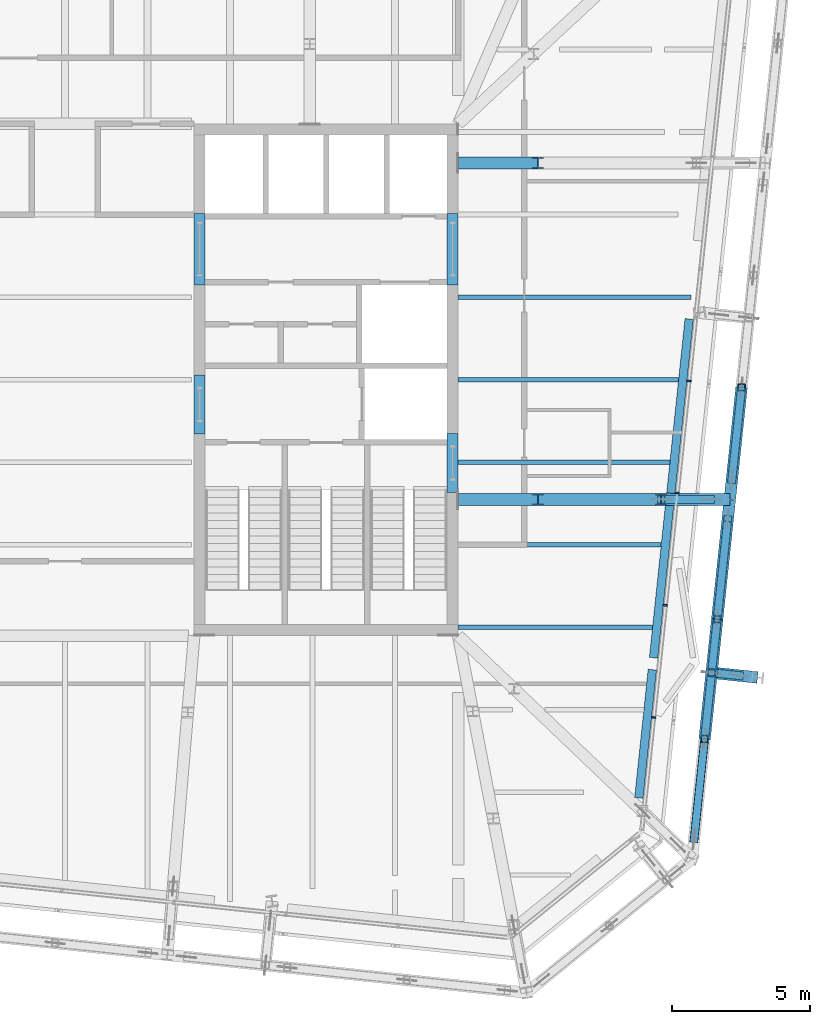
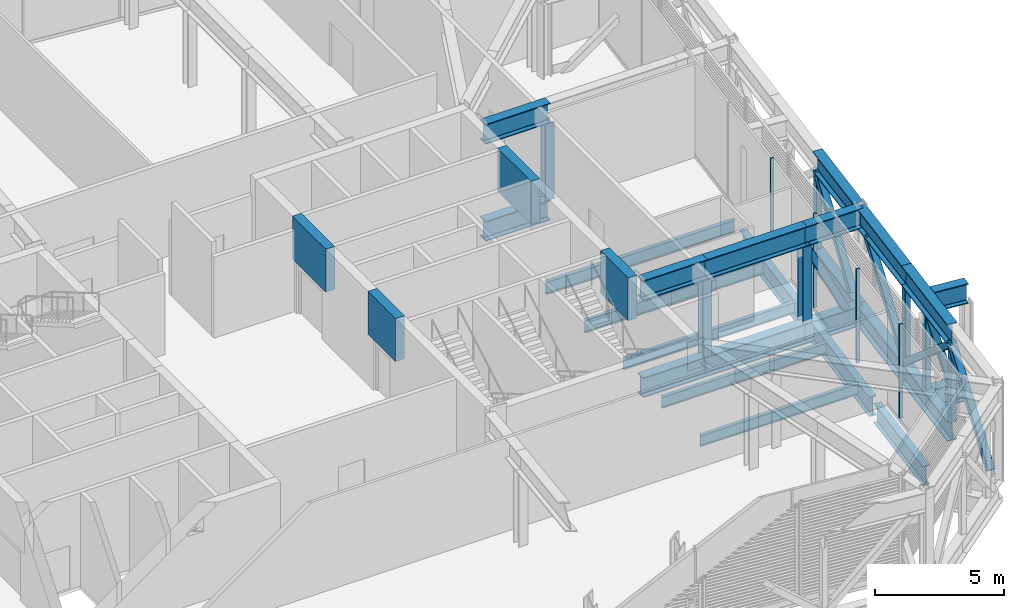
# One storey, part 10 of 36: 28 beams, 17 members, 1 element without a shape of its own.
"""IFC4 building model written with IfcOpenShell, lengths in metres."""

from ifc_helpers import new_model, si_unit, direction, frame, origin, origin_2d, place, context, subcontext, project, spatial, rectangle, hollow_rectangle, i_section, extrude, material, layer, layer_set, material_profile, profile_set, type_object, element, aggregate, save


model = new_model("IFC4")

# Units and contexts
model_context = context("Model", 3, precision=1e-05, world=origin(), true_north=direction((0.0, 1.0)))
body_context = subcontext(model_context, "Body", "Model", "MODEL_VIEW")
ifc_project = project(units=[si_unit("LENGTHUNIT", "METRE"), si_unit("AREAUNIT", "SQUARE_METRE"), si_unit("VOLUMEUNIT", "CUBIC_METRE"), si_unit("PLANEANGLEUNIT", "RADIAN"), si_unit("MASSUNIT", "GRAM", prefix="KILO")], contexts=[model_context])

# Site, building, storey
site_placement = place(None, origin())
site = spatial("IfcSite", under=ifc_project, at=site_placement, CompositionType="ELEMENT")
building_placement = place(site_placement, origin())
building = spatial("IfcBuilding", under=site, at=building_placement, Name="Millrace Tower", CompositionType="ELEMENT")
storey_placement = place(building_placement, frame((0.0, 0.0, 271.39990234375)))
storey = spatial("IfcBuildingStorey", under=building, at=storey_placement, Name="L62", CompositionType="ELEMENT", Elevation=271.39990234375)

# Curtain wall, members
ifc_material_1 = material(Name="Aluminium and glass", Category="aluminium")
ifc_layer = layer(ifc_material_1, 0.14990234375)
ifc_layer_set = layer_set([ifc_layer], Name="Aluminium and glass")
curtain_wall_type = type_object("IfcCurtainWallType", Name="CW-5 truss and plant storey louvred infill", PredefinedType="NOTDEFINED", material=ifc_layer_set)
curtain_wall_placement = place(storey_placement, origin())
curtain_wall = element("IfcCurtainWall", 1, at=curtain_wall_placement, inside=storey, type_object=curtain_wall_type, Name="Curtain wall E-F04 L62", PredefinedType="NOTDEFINED")
ifc_material_2 = material(Name="Aluminium", Category="aluminium")
ifc_material_profile_1 = material_profile(ifc_material_2, rectangle(XDim=0.06494140625, YDim=0.14990234375, at=origin_2d()))
ifc_profile_set_1 = profile_set([ifc_material_profile_1], Name="Aluminium")
member_type_1 = type_object("IfcMemberType", Name="CW-5 truss and plant storey louvred infill mullion", PredefinedType="MULLION", material=ifc_profile_set_1)
member_1_placement = place(storey_placement, frame((21.4033203125, -12.27490234375, 0.14013671875), z_axis=(0.0, 0.0, 1.0), x_axis=(0.104528455196, 0.994521896217, 0.0)))
member_1 = element("IfcMember", 2, at=member_1_placement, type_object=member_type_1, Name="CW5 mullion E-F04.2", PredefinedType="MULLION", context=body_context, shape_type="SweptSolid", body=[
    extrude(rectangle(XDim=0.06494140625, YDim=0.14990234375, at=origin_2d()), origin(), (0.0, 0.0, 1.0), 4.4599609375),
])
member_2_placement = place(storey_placement, frame((21.83203125, -8.197509765625, 0.14013671875), z_axis=(0.0, 0.0, 1.0), x_axis=(0.104528455196, 0.994521896217, 0.0)))
member_2 = element("IfcMember", 3, at=member_2_placement, type_object=member_type_1, Name="CW5 mullion E-F04.3", PredefinedType="MULLION", context=body_context, shape_type="SweptSolid", body=[
    extrude(rectangle(XDim=0.06494140625, YDim=0.14990234375, at=origin_2d()), origin(), (0.0, 0.0, 1.0), 4.4599609375),
])
member_3_placement = place(storey_placement, frame((22.260498046875, -4.119873046875, 0.14013671875), z_axis=(0.0, 0.0, 1.0), x_axis=(0.104528455196, 0.994521896217, 0.0)))
member_3 = element("IfcMember", 4, at=member_3_placement, type_object=member_type_1, Name="CW5 mullion E-F04.4", PredefinedType="MULLION", context=body_context, shape_type="SweptSolid", body=[
    extrude(rectangle(XDim=0.06494140625, YDim=0.14990234375, at=origin_2d()), origin(), (0.0, 0.0, 1.0), 4.4599609375),
])
member_4_placement = place(storey_placement, frame((22.68896484375, -0.042236328125, 0.14013671875), z_axis=(0.0, 0.0, 1.0), x_axis=(0.104528455196, 0.994521896217, 0.0)))
member_4 = element("IfcMember", 5, at=member_4_placement, type_object=member_type_1, Name="CW5 mullion E-F04.5", PredefinedType="MULLION", context=body_context, shape_type="SweptSolid", body=[
    extrude(rectangle(XDim=0.06494140625, YDim=0.14990234375, at=origin_2d()), origin(), (0.0, 0.0, 1.0), 4.4599609375),
])
aggregate(curtain_wall, [member_1, member_2, member_3, member_4])

# Beams
ifc_material_3 = material(Name="Concrete C60", Category="concrete")
ifc_material_profile_2 = material_profile(ifc_material_3, rectangle(XDim=0.39990234375, YDim=2.0400390625, at=origin_2d()))
ifc_profile_set_2 = profile_set([ifc_material_profile_2], Name="Concrete C60")
beam_type_1 = type_object("IfcBeamType", Name="Coupling beam 400 x 2040 Concrete C60, 1300 opening", PredefinedType="BEAM", material=ifc_profile_set_2)
beam_1_placement = place(storey_placement, frame((14.10009765625, -1.958984375, 3.420166015625), z_axis=(0.0, -1.0, 0.0), x_axis=(1.0, 0.0, 0.0)))
element("IfcBeam", 6, at=beam_1_placement, inside=storey, type_object=beam_type_1, Name="Coupling beam E L62", PredefinedType="BEAM", context=body_context, shape_type="SweptSolid", body=[
    extrude(rectangle(XDim=0.39990234375, YDim=2.0400390625, at=origin_2d()), origin(), (0.0, 0.0, 1.0), 2.14208984375),
])
beam_2_placement = place(storey_placement, frame((4.89990234375, 0.1708984375, 3.420166015625), z_axis=(0.0, -1.0, 0.0), x_axis=(1.0, 0.0, 0.0)))
element("IfcBeam", 7, at=beam_2_placement, inside=storey, type_object=beam_type_1, Name="Coupling beam E L62", PredefinedType="BEAM", context=body_context, shape_type="SweptSolid", body=[
    extrude(rectangle(XDim=0.39990234375, YDim=2.0400390625, at=origin_2d()), origin(), (0.0, 0.0, 1.0), 2.141845703125),
])
ifc_material_4 = material(Name="Concrete C60", Category="concrete")
ifc_material_profile_3 = material_profile(ifc_material_4, rectangle(XDim=0.39990234375, YDim=2.0400390625, at=origin_2d()))
ifc_profile_set_3 = profile_set([ifc_material_profile_3], Name="Concrete C60")
beam_type_2 = type_object("IfcBeamType", Name="Coupling beam 400 x 2040 Concrete C60, 2000 opening", PredefinedType="BEAM", material=ifc_profile_set_3)
for number, where, z_axis, x_axis, name in (
    (8, (14.10009765625, 6.050048828125, 3.420166015625), (0.0, -1.0, 0.0), (1.0, 0.0, 0.0), "Coupling beam E L62"),
    (9, (4.89990234375, 6.050048828125, 3.420166015625), (0.0, -1.0, 0.0), (1.0, 0.0, 0.0), "Coupling beam E L62"),
):
    element("IfcBeam", number, at=place(storey_placement, frame(where, z_axis=z_axis, x_axis=x_axis)), inside=storey, type_object=beam_type_2, Name=name, PredefinedType="BEAM", context=body_context, shape_type="SweptSolid", body=[
        extrude(rectangle(XDim=0.39990234375, YDim=2.0400390625, at=origin_2d()), origin(), (0.0, 0.0, 1.0), 2.60009765625),
    ])
ifc_material_5 = material(Name="Steel ASTM A992 Grade 50", Category="steel")
ifc_material_profile_4 = material_profile(ifc_material_5, i_section(OverallWidth=0.1650390625, OverallDepth=0.52587890625, WebThickness=0.0087890625, FlangeThickness=0.011474609375, FilletRadius=0.0126953125, at=origin_2d()))
ifc_profile_set_4 = profile_set([ifc_material_profile_4], Name="Steel ASTM A992 Grade 50")
beam_type_3 = type_object("IfcBeamType", Name="Floor beam W21x44", PredefinedType="JOIST", material=ifc_profile_set_4)
beam_3_placement = place(storey_placement, frame((14.300048828125, -9.0, -0.4228515625), z_axis=(1.0, 0.0, 0.0), x_axis=(0.0, 1.0, 0.0)))
element("IfcBeam", 10, at=beam_3_placement, inside=storey, type_object=beam_type_3, Name="BM-E-L62-S1-S007", PredefinedType="JOIST", context=body_context, shape_type="SweptSolid", body=[
    extrude(i_section(OverallWidth=0.1650390625, OverallDepth=0.52587890625, WebThickness=0.0087890625, FlangeThickness=0.011474609375, FilletRadius=0.0126953125, at=origin_2d()), origin(), (0.0, 0.0, 1.0), 7.06298828125),
])
beam_4_placement = place(storey_placement, frame((14.300048828125, -6.0, -0.4228515625), z_axis=(1.0, 0.0, 0.0), x_axis=(0.0, 1.0, 0.0)))
element("IfcBeam", 11, at=beam_4_placement, inside=storey, type_object=beam_type_3, Name="BM-E-L62-S1-S010", PredefinedType="JOIST", context=body_context, shape_type="SweptSolid", body=[
    extrude(i_section(OverallWidth=0.1650390625, OverallDepth=0.52587890625, WebThickness=0.0087890625, FlangeThickness=0.011474609375, FilletRadius=0.0126953125, at=origin_2d()), origin(), (0.0, 0.0, 1.0), 7.37841796875),
])
beam_5_placement = place(storey_placement, frame((14.300048828125, -3.0, -0.4228515625), z_axis=(1.0, 0.0, 0.0), x_axis=(0.0, 1.0, 0.0)))
element("IfcBeam", 12, at=beam_5_placement, inside=storey, type_object=beam_type_3, Name="BM-E-L62-S1-S013", PredefinedType="JOIST", context=body_context, shape_type="SweptSolid", body=[
    extrude(i_section(OverallWidth=0.1650390625, OverallDepth=0.52587890625, WebThickness=0.0087890625, FlangeThickness=0.011474609375, FilletRadius=0.0126953125, at=origin_2d()), origin(), (0.0, 0.0, 1.0), 7.693603515625),
])
ifc_material_6 = material(Name="Steel ASTM A992 Grade 50", Category="steel")
ifc_material_profile_5 = material_profile(ifc_material_6, i_section(OverallWidth=0.177978515625, OverallDepth=0.599365234375, WebThickness=0.010009765625, FlangeThickness=0.012939453125, FilletRadius=0.012939453125, at=origin_2d()))
ifc_profile_set_5 = profile_set([ifc_material_profile_5], Name="Steel ASTM A992 Grade 50")
beam_type_4 = type_object("IfcBeamType", Name="Floor beam W24x55", PredefinedType="JOIST", material=ifc_profile_set_5)
beam_6_placement = place(storey_placement, frame((14.300048828125, 0.0, -0.459716796875), z_axis=(1.0, 0.0, 0.0), x_axis=(0.0, 1.0, 0.0)))
element("IfcBeam", 13, at=beam_6_placement, inside=storey, type_object=beam_type_4, Name="BM-E-L62-S1-S016", PredefinedType="JOIST", context=body_context, shape_type="SweptSolid", body=[
    extrude(i_section(OverallWidth=0.177978515625, OverallDepth=0.599365234375, WebThickness=0.010009765625, FlangeThickness=0.012939453125, FilletRadius=0.012939453125, at=origin_2d()), origin(), (0.0, 0.0, 1.0), 8.009033203125),
])
beam_7_placement = place(storey_placement, frame((14.300048828125, 3.0, -0.459716796875), z_axis=(1.0, 0.0, 0.0), x_axis=(0.0, 1.0, 0.0)))
element("IfcBeam", 14, at=beam_7_placement, inside=storey, type_object=beam_type_4, Name="BM-E-L62-S1-S019", PredefinedType="JOIST", context=body_context, shape_type="SweptSolid", body=[
    extrude(i_section(OverallWidth=0.177978515625, OverallDepth=0.599365234375, WebThickness=0.010009765625, FlangeThickness=0.012939453125, FilletRadius=0.012939453125, at=origin_2d()), origin(), (0.0, 0.0, 1.0), 8.456298828125),
])
ifc_material_7 = material(Name="Steel ASTM A992 Grade 50", Category="steel")
ifc_material_profile_6 = material_profile(ifc_material_7, i_section(OverallWidth=0.307373046875, OverallDepth=0.927001953125, WebThickness=0.01953125, FlangeThickness=0.031982421875, FilletRadius=0.01904296875, at=origin_2d()))
ifc_profile_set_6 = profile_set([ifc_material_profile_6], Name="Steel ASTM A992 Grade 50")
beam_type_5 = type_object("IfcBeamType", Name="Ring beam short span W36x194", PredefinedType="SPANDREL", material=ifc_profile_set_6)
beam_8_placement = place(storey_placement, frame((22.695556640625, 2.2080078125, -0.62353515625), z_axis=(-0.104499270782, -0.994524963189, 0.0), x_axis=(0.994524963189, -0.104499270782, 0.0)))
element("IfcBeam", 15, at=beam_8_placement, inside=storey, type_object=beam_type_5, Name="RNG-E-L62-S1-10-b", PredefinedType="SPANDREL", context=body_context, shape_type="SweptSolid", body=[
    extrude(i_section(OverallWidth=0.307373046875, OverallDepth=0.927001953125, WebThickness=0.01953125, FlangeThickness=0.031982421875, FilletRadius=0.01904296875, at=origin_2d()), origin(), (0.0, 0.0, 1.0), 6.37109375),
])
beam_9_placement = place(storey_placement, frame((21.983642578125, -4.5654296875, -0.62353515625), z_axis=(-0.104522810445, -0.994522489488, 0.0), x_axis=(0.994522489488, -0.104522810445, 0.0)))
element("IfcBeam", 16, at=beam_9_placement, inside=storey, type_object=beam_type_5, Name="RNG-E-L62-S1-11-a", PredefinedType="SPANDREL", context=body_context, shape_type="SweptSolid", body=[
    extrude(i_section(OverallWidth=0.307373046875, OverallDepth=0.927001953125, WebThickness=0.01953125, FlangeThickness=0.031982421875, FilletRadius=0.01904296875, at=origin_2d()), origin(), (0.0, 0.0, 1.0), 5.57080078125),
])
beam_10_placement = place(storey_placement, frame((21.35595703125, -10.5390625, -0.62353515625), z_axis=(-0.104560096793, -0.994518570042, 0.0), x_axis=(0.994518570042, -0.104560096793, 0.0)))
element("IfcBeam", 17, at=beam_10_placement, inside=storey, type_object=beam_type_5, Name="RNG-E-L62-S1-11-b", PredefinedType="SPANDREL", context=body_context, shape_type="SweptSolid", body=[
    extrude(i_section(OverallWidth=0.307373046875, OverallDepth=0.927001953125, WebThickness=0.01953125, FlangeThickness=0.031982421875, FilletRadius=0.01904296875, at=origin_2d()), origin(), (0.0, 0.0, 1.0), 4.6884765625),
])

# Members
ifc_material_8 = material(Name="Steel ASTM A992 Grade 50", Category="steel")
ifc_material_profile_7 = material_profile(ifc_material_8, i_section(OverallWidth=0.4013671875, OverallDepth=0.398681640625, WebThickness=0.02490234375, FlangeThickness=0.03955078125, FilletRadius=0.01513671875, at=origin_2d()))
ifc_profile_set_7 = profile_set([ifc_material_profile_7], Name="Steel ASTM A992 Grade 50")
member_type_2 = type_object("IfcMemberType", Name="Transfer truss Vierendeel moment post W14x211", PredefinedType="POST", material=ifc_profile_set_7)
for number, where, z_axis, x_axis, name in (
    (18, (21.671630859375, -4.353271484375, -0.159912109375), (0.0, 0.0, 1.0), (1.0, 0.0, 0.0), "TRS-L62-C07-V01"),
    (19, (17.199951171875, -4.353271484375, -0.159912109375), (0.0, 0.0, 1.0), (1.0, 0.0, 0.0), "TRS-L62-C07-V02"),
    (20, (17.199951171875, 7.879150390625, -0.159912109375), (0.0, 0.0, 1.0), (1.0, 0.0, 0.0), "TRS-L62-C08-V02"),
):
    element("IfcMember", number, at=place(storey_placement, frame(where, z_axis=z_axis, x_axis=x_axis)), inside=storey, type_object=member_type_2, Name=name, PredefinedType="POST", context=body_context, shape_type="SweptSolid", body=[
        extrude(i_section(OverallWidth=0.4013671875, OverallDepth=0.398681640625, WebThickness=0.02490234375, FlangeThickness=0.03955078125, FilletRadius=0.01513671875, at=origin_2d()), origin(), (0.0, 0.0, 1.0), 3.652587890625),
    ])

# Beams
ifc_material_9 = material(Name="Steel ASTM A992 Grade 50", Category="steel")
ifc_material_profile_8 = material_profile(ifc_material_9, i_section(OverallWidth=0.424072265625, OverallDepth=0.947509765625, WebThickness=0.02392578125, FlangeThickness=0.042724609375, FilletRadius=0.024169921875, at=origin_2d()))
ifc_profile_set_8 = profile_set([ifc_material_profile_8], Name="Steel ASTM A992 Grade 50")
beam_type_6 = type_object("IfcBeamType", Name="Transfer truss chord W36x302", PredefinedType="BEAM", material=ifc_profile_set_8)
for number, where, z_axis, x_axis, name in (
    (21, (23.256591796875, -13.0576171875, -0.633544921875), (0.104551192336, 0.994519506184, 0.0), (-0.994519506184, 0.104551192336, 0.0), "TRS-L62-R06-B02"),
    (22, (23.256591796875, -13.0576171875, 3.96630859375), (0.104551192336, 0.994519506184, 0.0), (-0.994519506184, 0.104551192336, 0.0), "TRS-L62-R06-T02"),
):
    element("IfcBeam", number, at=place(storey_placement, frame(where, z_axis=z_axis, x_axis=x_axis)), inside=storey, type_object=beam_type_6, Name=name, PredefinedType="BEAM", context=body_context, shape_type="SweptSolid", body=[
        extrude(i_section(OverallWidth=0.424072265625, OverallDepth=0.947509765625, WebThickness=0.02392578125, FlangeThickness=0.042724609375, FilletRadius=0.024169921875, at=origin_2d()), origin(), (0.0, 0.0, 1.0), 4.3759765625),
    ])
for number, where, z_axis, x_axis, name in (
    (23, (23.714111328125, -8.70556640625, -0.633544921875), (0.104545391672, 0.994520115976, 0.0), (-0.994520115976, 0.104545391672, 0.0), "TRS-L62-R06-B03"),
    (24, (23.714111328125, -8.70556640625, 3.96630859375), (0.104545391672, 0.994520115976, 0.0), (-0.994520115976, 0.104545391672, 0.0), "TRS-L62-R06-T03"),
):
    element("IfcBeam", number, at=place(storey_placement, frame(where, z_axis=z_axis, x_axis=x_axis)), inside=storey, type_object=beam_type_6, Name=name, PredefinedType="BEAM", context=body_context, shape_type="SweptSolid", body=[
        extrude(i_section(OverallWidth=0.424072265625, OverallDepth=0.947509765625, WebThickness=0.02392578125, FlangeThickness=0.042724609375, FilletRadius=0.024169921875, at=origin_2d()), origin(), (0.0, 0.0, 1.0), 4.376220703125),
    ])
for number, where, z_axis, x_axis, name in (
    (25, (24.171630859375, -4.353271484375, -0.633544921875), (0.104508094319, 0.99452403602, 0.0), (-0.99452403602, 0.104508094319, 0.0), "TRS-L62-R07-B01"),
    (26, (24.171630859375, -4.353271484375, 3.96630859375), (0.104508094319, 0.99452403602, 0.0), (-0.99452403602, 0.104508094319, 0.0), "TRS-L62-R07-T01"),
):
    element("IfcBeam", number, at=place(storey_placement, frame(where, z_axis=z_axis, x_axis=x_axis)), inside=storey, type_object=beam_type_6, Name=name, PredefinedType="BEAM", context=body_context, shape_type="SweptSolid", body=[
        extrude(i_section(OverallWidth=0.424072265625, OverallDepth=0.947509765625, WebThickness=0.02392578125, FlangeThickness=0.042724609375, FilletRadius=0.024169921875, at=origin_2d()), origin(), (0.0, 0.0, 1.0), 4.099853515625),
    ])
for number, where, z_axis, x_axis, name in (
    (27, (24.171630859375, -4.353271484375, -0.633544921875), (-1.0, 0.0, 0.0), (0.0, -1.0, 0.0), "TRS-L62-C07-B01"),
    (28, (24.171630859375, -4.353271484375, 3.96630859375), (-1.0, 0.0, 0.0), (0.0, -1.0, 0.0), "TRS-L62-C07-T01"),
):
    element("IfcBeam", number, at=place(storey_placement, frame(where, z_axis=z_axis, x_axis=x_axis)), inside=storey, type_object=beam_type_6, Name=name, PredefinedType="BEAM", context=body_context, shape_type="SweptSolid", body=[
        extrude(i_section(OverallWidth=0.424072265625, OverallDepth=0.947509765625, WebThickness=0.02392578125, FlangeThickness=0.042724609375, FilletRadius=0.024169921875, at=origin_2d()), origin(), (0.0, 0.0, 1.0), 2.5),
    ])
for number, where, z_axis, x_axis, name in (
    (29, (21.671630859375, -4.353271484375, -0.633544921875), (-1.0, 0.0, 0.0), (0.0, -1.0, 0.0), "TRS-L62-C07-B02"),
    (30, (21.671630859375, -4.353271484375, 3.96630859375), (-1.0, 0.0, 0.0), (0.0, -1.0, 0.0), "TRS-L62-C07-T02"),
):
    element("IfcBeam", number, at=place(storey_placement, frame(where, z_axis=z_axis, x_axis=x_axis)), inside=storey, type_object=beam_type_6, Name=name, PredefinedType="BEAM", context=body_context, shape_type="SweptSolid", body=[
        extrude(i_section(OverallWidth=0.424072265625, OverallDepth=0.947509765625, WebThickness=0.02392578125, FlangeThickness=0.042724609375, FilletRadius=0.024169921875, at=origin_2d()), origin(), (0.0, 0.0, 1.0), 4.4716796875),
    ])
for number, where, z_axis, x_axis, name in (
    (31, (17.199951171875, -4.353271484375, -0.633544921875), (-1.0, 0.0, 0.0), (0.0, -1.0, 0.0), "TRS-L62-C07-B03"),
    (32, (17.199951171875, -4.353271484375, 3.96630859375), (-1.0, 0.0, 0.0), (0.0, -1.0, 0.0), "TRS-L62-C07-T03"),
    (33, (17.199951171875, 7.879150390625, -0.633544921875), (-1.0, 0.0, 0.0), (0.0, -1.0, 0.0), "TRS-L62-C08-B03"),
    (34, (17.199951171875, 7.879150390625, 3.96630859375), (-1.0, 0.0, 0.0), (0.0, -1.0, 0.0), "TRS-L62-C08-T03"),
):
    element("IfcBeam", number, at=place(storey_placement, frame(where, z_axis=z_axis, x_axis=x_axis)), inside=storey, type_object=beam_type_6, Name=name, PredefinedType="BEAM", context=body_context, shape_type="SweptSolid", body=[
        extrude(i_section(OverallWidth=0.424072265625, OverallDepth=0.947509765625, WebThickness=0.02392578125, FlangeThickness=0.042724609375, FilletRadius=0.024169921875, at=origin_2d()), origin(), (0.0, 0.0, 1.0), 2.89990234375),
    ])
for number, where, z_axis, x_axis, name in (
    (35, (25.178466796875, -10.82470703125, -0.633544921875), (-0.994514575578, 0.104598082978, 0.0), (-0.104598082978, -0.994514575578, 0.0), "TRS-L62-B-D-X06-B01"),
    (36, (25.178466796875, -10.82470703125, 3.96630859375), (-0.994514575578, 0.104598082978, 0.0), (-0.104598082978, -0.994514575578, 0.0), "TRS-L62-B-D-X06-T01"),
):
    element("IfcBeam", number, at=place(storey_placement, frame(where, z_axis=z_axis, x_axis=x_axis)), inside=storey, type_object=beam_type_6, Name=name, PredefinedType="BEAM", context=body_context, shape_type="SweptSolid", body=[
        extrude(i_section(OverallWidth=0.424072265625, OverallDepth=0.947509765625, WebThickness=0.02392578125, FlangeThickness=0.042724609375, FilletRadius=0.024169921875, at=origin_2d()), origin(), (0.0, 0.0, 1.0), 1.4658203125),
    ])

# Members
ifc_material_10 = material(Name="Steel ASTM A500 Grade C", Category="steel")
ifc_material_profile_9 = material_profile(ifc_material_10, hollow_rectangle(XDim=0.3046875, YDim=0.3046875, WallThickness=0.0126953125, InnerFilletRadius=0.00634765625, OuterFilletRadius=0.01904296875, at=origin_2d()))
ifc_profile_set_9 = profile_set([ifc_material_profile_9], Name="Steel ASTM A500 Grade C")
member_type_3 = type_object("IfcMemberType", Name="Transfer truss diagonal HSS12x12x1/2", PredefinedType="BRACE", material=ifc_profile_set_9)
member_5_placement = place(storey_placement, frame((22.87255859375, -16.713623046875, -0.159912109375), z_axis=(0.074106125048, 0.705492194913, 0.704832636267), x_axis=(-0.994528355058, 0.104466985142, 0.0)))
element("IfcMember", 37, at=member_5_placement, inside=storey, type_object=member_type_3, Name="TRS-L62-R06-D01", PredefinedType="BRACE", context=body_context, shape_type="SweptSolid", body=[
    extrude(hollow_rectangle(XDim=0.3046875, YDim=0.3046875, WallThickness=0.0126953125, InnerFilletRadius=0.00634765625, OuterFilletRadius=0.01904296875, at=origin_2d()), origin(), (0.0, 0.0, 1.0), 5.18212890625),
])
member_6_placement = place(storey_placement, frame((23.714111328125, -8.70556640625, -0.159912109375), z_axis=(-0.080265264692, -0.763505127219, 0.640794357025), x_axis=(0.994519506184, -0.104551192336, 0.0)))
element("IfcMember", 38, at=member_6_placement, inside=storey, type_object=member_type_3, Name="TRS-L62-R06-D02", PredefinedType="BRACE", context=body_context, shape_type="SweptSolid", body=[
    extrude(hollow_rectangle(XDim=0.3046875, YDim=0.3046875, WallThickness=0.0126953125, InnerFilletRadius=0.00634765625, OuterFilletRadius=0.01904296875, at=origin_2d()), origin(), (0.0, 0.0, 1.0), 5.7001953125),
])
member_7_placement = place(storey_placement, frame((23.714111328125, -8.70556640625, -0.159912109375), z_axis=(0.074152977413, 0.705489731102, 0.704830174759), x_axis=(-0.994521452977, 0.104532672253, 0.0)))
element("IfcMember", 39, at=member_7_placement, inside=storey, type_object=member_type_3, Name="TRS-L62-R06-D03", PredefinedType="BRACE", context=body_context, shape_type="SweptSolid", body=[
    extrude(hollow_rectangle(XDim=0.3046875, YDim=0.3046875, WallThickness=0.0126953125, InnerFilletRadius=0.00634765625, OuterFilletRadius=0.01904296875, at=origin_2d()), origin(), (0.0, 0.0, 1.0), 5.18212890625),
])
member_8_placement = place(storey_placement, frame((24.24462890625, -3.6572265625, -0.159912109375), z_axis=(0.071234551315, 0.67760888442, 0.731964369661), x_axis=(-0.994519608382, 0.104550220202, 0.0)))
element("IfcMember", 40, at=member_8_placement, inside=storey, type_object=member_type_3, Name="TRS-L62-R07-D01", PredefinedType="BRACE", context=body_context, shape_type="SweptSolid", body=[
    extrude(hollow_rectangle(XDim=0.3046875, YDim=0.3046875, WallThickness=0.0126953125, InnerFilletRadius=0.00634765625, OuterFilletRadius=0.01904296875, at=origin_2d()), origin(), (0.0, 0.0, 1.0), 4.990234375),
])
member_9_placement = place(storey_placement, frame((23.4716796875, -4.353271484375, -0.159912109375), z_axis=(-0.442050013477, 0.0, 0.896990404399), x_axis=(0.0, -1.0, 0.0)))
element("IfcMember", 41, at=member_9_placement, inside=storey, type_object=member_type_3, Name="TRS-L62-C07-D01", PredefinedType="BRACE", context=body_context, shape_type="SweptSolid", body=[
    extrude(hollow_rectangle(XDim=0.3046875, YDim=0.3046875, WallThickness=0.0126953125, InnerFilletRadius=0.00634765625, OuterFilletRadius=0.01904296875, at=origin_2d()), origin(), (0.0, 0.0, 1.0), 4.072021484375),
])
member_10_placement = place(storey_placement, frame((24.510986328125, -10.754638671875, -0.159912109375), z_axis=(-0.264258845131, 0.027772631615, 0.964051836627), x_axis=(-0.104520675367, -0.994522713879, 0.0)))
element("IfcMember", 42, at=member_10_placement, inside=storey, type_object=member_type_3, Name="TRS-L62-B-D-X06-D01", PredefinedType="BRACE", context=body_context, shape_type="SweptSolid", body=[
    extrude(hollow_rectangle(XDim=0.3046875, YDim=0.3046875, WallThickness=0.0126953125, InnerFilletRadius=0.00634765625, OuterFilletRadius=0.01904296875, at=origin_2d()), origin(), (0.0, 0.0, 1.0), 3.788818359375),
])
ifc_material_11 = material(Name="Steel ASTM A500 Grade C", Category="steel")
ifc_material_profile_10 = material_profile(ifc_material_11, hollow_rectangle(XDim=0.25390625, YDim=0.25390625, WallThickness=0.0126953125, InnerFilletRadius=0.00634765625, OuterFilletRadius=0.01904296875, at=origin_2d()))
ifc_profile_set_10 = profile_set([ifc_material_profile_10], Name="Steel ASTM A500 Grade C")
member_type_4 = type_object("IfcMemberType", Name="Transfer truss post HSS10x10x1/2", PredefinedType="POST", material=ifc_profile_set_10)
for number, where, z_axis, x_axis, name in (
    (43, (23.256591796875, -13.0576171875, -0.159912109375), (0.0, 0.0, 1.0), (1.0, 0.0, 0.0), "TRS-L62-R06-V01"),
    (44, (23.714111328125, -8.70556640625, -0.159912109375), (0.0, 0.0, 1.0), (1.0, 0.0, 0.0), "TRS-L62-R06-V02"),
    (45, (24.60009765625, -0.27587890625, -0.159912109375), (0.0, 0.0, 1.0), (1.0, 0.0, 0.0), "TRS-L62-R07-V01"),
    (46, (23.509765625, -10.6494140625, -0.159912109375), (0.0, 0.0, 1.0), (1.0, 0.0, 0.0), "TRS-L62-B-D-X06-V01"),
):
    element("IfcMember", number, at=place(storey_placement, frame(where, z_axis=z_axis, x_axis=x_axis)), inside=storey, type_object=member_type_4, Name=name, PredefinedType="POST", context=body_context, shape_type="SweptSolid", body=[
        extrude(hollow_rectangle(XDim=0.25390625, YDim=0.25390625, WallThickness=0.0126953125, InnerFilletRadius=0.00634765625, OuterFilletRadius=0.01904296875, at=origin_2d()), origin(), (0.0, 0.0, 1.0), 3.652587890625),
    ])

save(model, "model.ifc")
